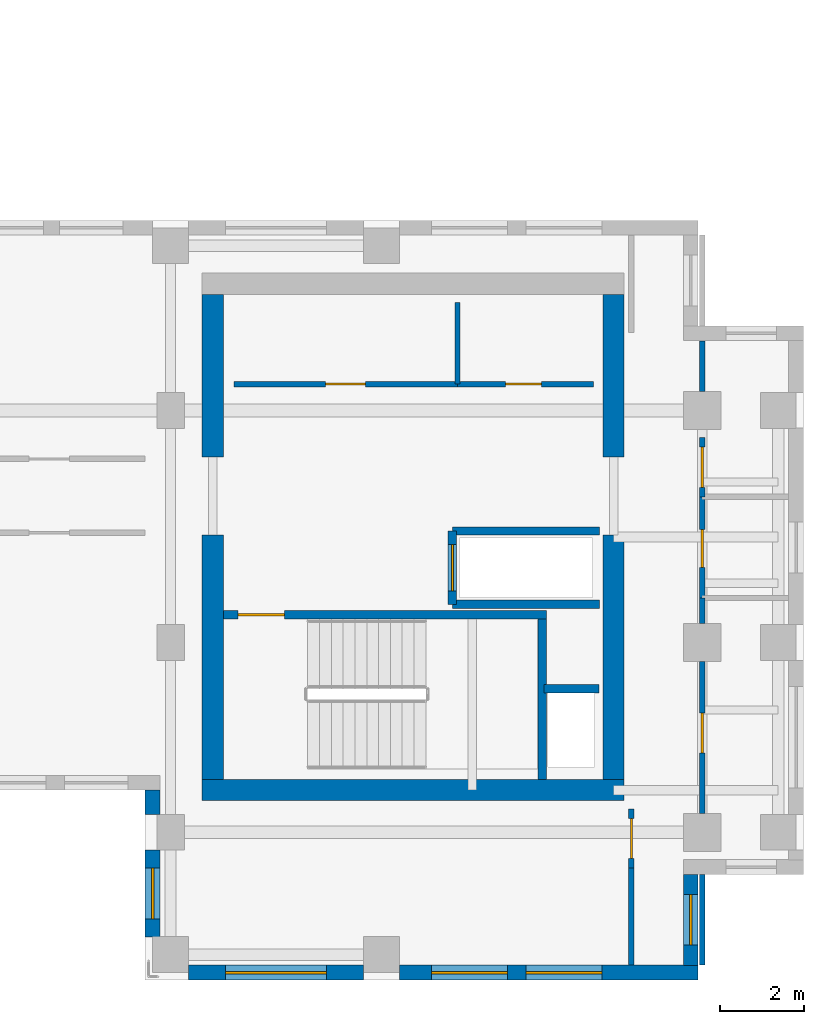
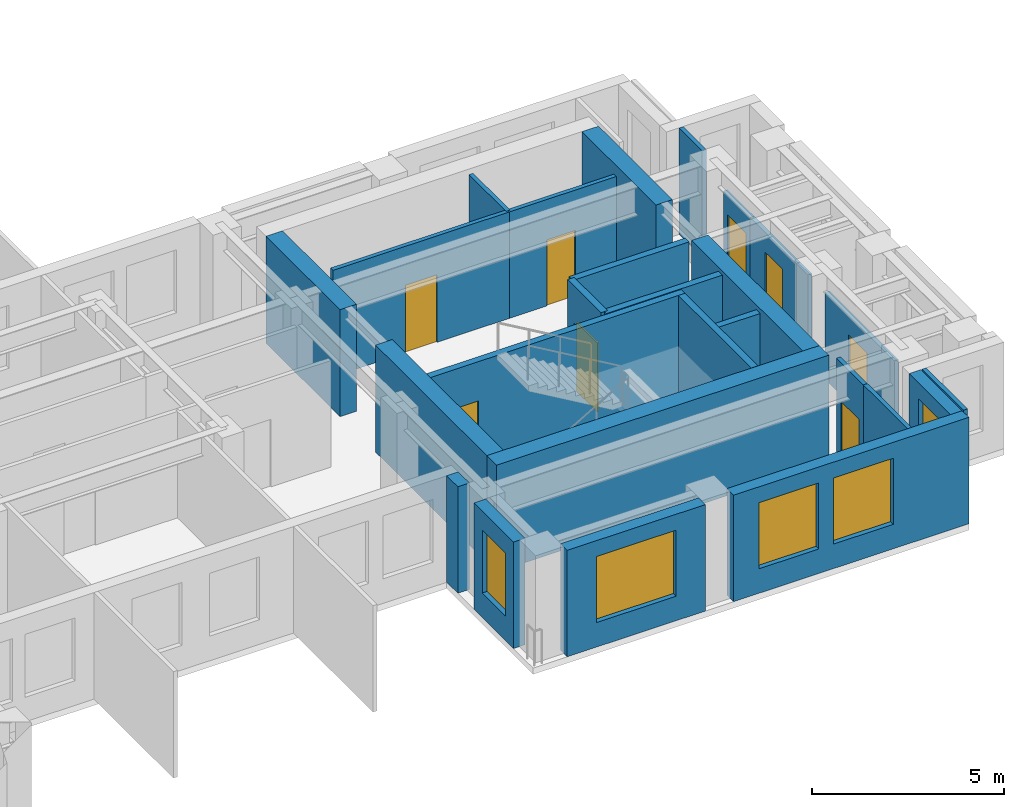
# One storey, part 7 of 11: 27 walls, 8 doors, 5 windows, 13 openings.
"""IFC4 building model written with IfcOpenShell, lengths in metres."""

from ifc_helpers import new_model, si_unit, direction, frame, frame_2d, origin, place, context, subcontext, project, spatial, rectangle, extrude, source, transform, mapped, material, layer, layer_set, type_object, element, fill, save


model = new_model("IFC4")

# Units and contexts
model_context = context("Model", 3, precision=1e-05, world=origin(), true_north=direction((0.0, 1.0)))
body_context = subcontext(model_context, "Body", "Model", "MODEL_VIEW")
ifc_project = project(units=[si_unit("LENGTHUNIT", "METRE"), si_unit("AREAUNIT", "SQUARE_METRE"), si_unit("VOLUMEUNIT", "CUBIC_METRE"), si_unit("PLANEANGLEUNIT", "RADIAN"), si_unit("MASSUNIT", "GRAM", prefix="KILO")], contexts=[model_context])

# Site, building, storey
site_placement = place(None, origin())
site = spatial("IfcSite", under=ifc_project, at=site_placement, CompositionType="ELEMENT")
building_placement = place(site_placement, origin())
building = spatial("IfcBuilding", under=site, at=building_placement, Name="Kharzan Plaza Tower", CompositionType="ELEMENT")
storey_placement = place(building_placement, frame((0.0, 0.0, 219.60009765625)))
storey = spatial("IfcBuildingStorey", under=building, at=storey_placement, Name="L59", CompositionType="ELEMENT", Elevation=219.60009765625)

# Wall, opening, window
ifc_material_1 = material(Name="Concrete C40/50", Category="concrete")
ifc_layer_1 = layer(ifc_material_1, 0.35009765625)
ifc_layer_set_1 = layer_set([ifc_layer_1], Name="Concrete C40/50")
wall_type_1 = type_object("IfcWallType", Name="WL-EXT-MAS-Z4", PredefinedType="SOLIDWALL", material=ifc_layer_set_1)
wall_1_placement = place(storey_placement, frame((34.574951171875, 3.076904296875, 0.0), z_axis=(0.0, 0.0, 1.0), x_axis=(0.0, -1.0, 0.0)))
wall_1 = element("IfcWall", 1, at=wall_1_placement, inside=storey, type_object=wall_type_1, Name="L59 Masonry-Frame Exterior Wall 28", PredefinedType="SOLIDWALL", context=body_context, shape_type="SweptSolid", body=[
    extrude(rectangle(XDim=2.053955078125, YDim=0.35009765625, at=frame_2d((1.02685546875, 0.0))), origin(), (0.0, 0.0, 1.0), 3.385009765625),
])
opening_1_placement = place(wall_1_placement, frame((0.427001953125, 0.0, 0.780029296875)))
opening_1 = element("IfcOpeningElement", 2, at=opening_1_placement, cuts=wall_1, Name="Opening W3", PredefinedType="OPENING", context=body_context, shape_type="SweptSolid", body=[
    extrude(rectangle(XDim=1.199951171875, YDim=2.0, at=frame_2d((0.60009765625, 1.0))), frame((0.0, 0.18505859375, 0.0), z_axis=(0.0, -1.0, 0.0), x_axis=(1.0, 0.0, 0.0)), (0.0, 0.0, 1.0), 0.3701171875),
])
ifc_material_2 = material(Name="Low-E Double Glazing", Category="glass")
window_type_1 = type_object("IfcWindowType", Name="WN-REC-1200x2100", PartitioningType="SINGLE_PANEL", PredefinedType="WINDOW", material=ifc_material_2)
shared_shape_1 = source(origin(), body_context, "Body", "SweptSolid", [
    extrude(rectangle(XDim=1.199951171875, YDim=2.0, at=frame_2d((0.60009765625, 1.0))), frame((0.0, 0.030029296875, 0.0), z_axis=(0.0, -1.0, 0.0), x_axis=(1.0, 0.0, 0.0)), (0.0, 0.0, 1.0), 0.06005859375),
])
window_1_placement = place(opening_1_placement, origin())
window_1 = element("IfcWindow", 3, at=window_1_placement, inside=storey, type_object=window_type_1, Name="L59 Recessed Solar-Control Window 28-1", OverallHeight=2.0, OverallWidth=1.199951171875, PartitioningType="SINGLE_PANEL", PredefinedType="WINDOW", context=body_context, shape_type="MappedRepresentation", body=[
    mapped(shared_shape_1, transform((0.0, 0.0, 0.0), x_axis=(1.0, 0.0, 0.0), y_axis=(0.0, 1.0, 0.0), z_axis=(0.0, 0.0, 1.0))),
])
fill(opening_1, window_1)

wall_2_placement = place(storey_placement, frame((35.423095703125, 0.175048828125, 0.0), z_axis=(0.0, 0.0, 1.0), x_axis=(1.0, 0.0, 0.0)))
wall_2 = element("IfcWall", 4, at=wall_2_placement, inside=storey, type_object=wall_type_1, Name="L59 Masonry-Frame Exterior Wall 29", PredefinedType="SOLIDWALL", context=body_context, shape_type="SweptSolid", body=[
    extrude(rectangle(XDim=4.15380859375, YDim=0.35009765625, at=frame_2d((2.076904296875, 0.0))), origin(), (0.0, 0.0, 1.0), 3.385009765625),
])
opening_2_placement = place(wall_2_placement, frame((0.876953125, 0.0, 0.780029296875)))
opening_2 = element("IfcOpeningElement", 5, at=opening_2_placement, cuts=wall_2, Name="Opening W2", PredefinedType="OPENING", context=body_context, shape_type="SweptSolid", body=[
    extrude(rectangle(XDim=2.39990234375, YDim=2.10009765625, at=frame_2d((1.199951171875, 1.050048828125))), frame((0.0, 0.18505859375, 0.0), z_axis=(0.0, -1.0, 0.0), x_axis=(1.0, 0.0, 0.0)), (0.0, 0.0, 1.0), 0.3701171875),
])
window_type_2 = type_object("IfcWindowType", Name="WN-REC-2400x2100", PartitioningType="SINGLE_PANEL", PredefinedType="WINDOW", material=ifc_material_2)
shared_shape_2 = source(origin(), body_context, "Body", "SweptSolid", [
    extrude(rectangle(XDim=2.39990234375, YDim=2.10009765625, at=frame_2d((1.199951171875, 1.050048828125))), frame((0.0, 0.030029296875, 0.0), z_axis=(0.0, -1.0, 0.0), x_axis=(1.0, 0.0, 0.0)), (0.0, 0.0, 1.0), 0.06005859375),
])
window_2_placement = place(opening_2_placement, origin())
window_2 = element("IfcWindow", 6, at=window_2_placement, inside=storey, type_object=window_type_2, Name="L59 Wide Recessed Solar-Control Window 29-1", OverallHeight=2.10009765625, OverallWidth=2.39990234375, PartitioningType="SINGLE_PANEL", PredefinedType="WINDOW", context=body_context, shape_type="MappedRepresentation", body=[
    mapped(shared_shape_2, transform((0.0, 0.0, 0.0), x_axis=(1.0, 0.0, 0.0), y_axis=(0.0, 1.0, 0.0), z_axis=(0.0, 0.0, 1.0))),
])
fill(opening_2, window_2)

# Wall, openings, windows
wall_3_placement = place(storey_placement, frame((40.423095703125, 0.175048828125, 0.0), z_axis=(0.0, 0.0, 1.0), x_axis=(1.0, 0.0, 0.0)))
wall_3 = element("IfcWall", 7, at=wall_3_placement, inside=storey, type_object=wall_type_1, Name="L59 Masonry-Frame Exterior Wall 30", PredefinedType="SOLIDWALL", context=body_context, shape_type="SweptSolid", body=[
    extrude(rectangle(XDim=7.076904296875, YDim=0.35009765625, at=frame_2d((3.53857421875, 0.0))), origin(), (0.0, 0.0, 1.0), 3.385009765625),
])
opening_3_placement = place(wall_3_placement, frame((0.76220703125, 0.0, 0.780029296875)))
opening_3 = element("IfcOpeningElement", 8, at=opening_3_placement, cuts=wall_3, Name="Opening W1", PredefinedType="OPENING", context=body_context, shape_type="SweptSolid", body=[
    extrude(rectangle(XDim=1.800048828125, YDim=2.10009765625, at=frame_2d((0.89990234375, 1.050048828125))), frame((0.0, 0.18505859375, 0.0), z_axis=(0.0, -1.0, 0.0), x_axis=(1.0, 0.0, 0.0)), (0.0, 0.0, 1.0), 0.3701171875),
])
opening_4_placement = place(wall_3_placement, frame((3.004638671875, 0.0, 0.780029296875)))
opening_4 = element("IfcOpeningElement", 9, at=opening_4_placement, cuts=wall_3, Name="Opening W1", PredefinedType="OPENING", context=body_context, shape_type="SweptSolid", body=[
    extrude(rectangle(XDim=1.800048828125, YDim=2.10009765625, at=frame_2d((0.89990234375, 1.050048828125))), frame((0.0, 0.18505859375, 0.0), z_axis=(0.0, -1.0, 0.0), x_axis=(1.0, 0.0, 0.0)), (0.0, 0.0, 1.0), 0.3701171875),
])
window_type_3 = type_object("IfcWindowType", Name="WN-REC-1800x2100", PartitioningType="SINGLE_PANEL", PredefinedType="WINDOW", material=ifc_material_2)
shared_shape_3 = source(origin(), body_context, "Body", "SweptSolid", [
    extrude(rectangle(XDim=1.800048828125, YDim=2.10009765625, at=frame_2d((0.89990234375, 1.050048828125))), frame((0.0, 0.030029296875, 0.0), z_axis=(0.0, -1.0, 0.0), x_axis=(1.0, 0.0, 0.0)), (0.0, 0.0, 1.0), 0.06005859375),
])
window_3_placement = place(opening_3_placement, origin())
window_3 = element("IfcWindow", 10, at=window_3_placement, inside=storey, type_object=window_type_3, Name="L59 Recessed Solar-Control Window 30-1", OverallHeight=2.10009765625, OverallWidth=1.800048828125, PartitioningType="SINGLE_PANEL", PredefinedType="WINDOW", context=body_context, shape_type="MappedRepresentation", body=[
    mapped(shared_shape_3, transform((0.0, 0.0, 0.0), x_axis=(1.0, 0.0, 0.0), y_axis=(0.0, 1.0, 0.0), z_axis=(0.0, 0.0, 1.0))),
])
fill(opening_3, window_3)
window_4_placement = place(opening_4_placement, origin())
window_4 = element("IfcWindow", 11, at=window_4_placement, inside=storey, type_object=window_type_3, Name="L59 Recessed Solar-Control Window 30-2", OverallHeight=2.10009765625, OverallWidth=1.800048828125, PartitioningType="SINGLE_PANEL", PredefinedType="WINDOW", context=body_context, shape_type="MappedRepresentation", body=[
    mapped(shared_shape_3, transform((0.0, 0.0, 0.0), x_axis=(1.0, 0.0, 0.0), y_axis=(0.0, 1.0, 0.0), z_axis=(0.0, 0.0, 1.0))),
])
fill(opening_4, window_4)

# Wall, opening, window
wall_4_placement = place(storey_placement, frame((47.324951171875, 0.347900390625, 0.0), z_axis=(0.0, 0.0, 1.0), x_axis=(0.0, 1.0, 0.0)))
wall_4 = element("IfcWall", 12, at=wall_4_placement, inside=storey, type_object=wall_type_1, Name="L59 Masonry-Frame Exterior Wall 31", PredefinedType="SOLIDWALL", context=body_context, shape_type="SweptSolid", body=[
    extrude(rectangle(XDim=2.154052734375, YDim=0.35009765625, at=frame_2d((1.0771484375, 0.0))), origin(), (0.0, 0.0, 1.0), 3.385009765625),
])
opening_5_placement = place(wall_4_placement, frame((0.47705078125, 0.0, 0.780029296875)))
opening_5 = element("IfcOpeningElement", 13, at=opening_5_placement, cuts=wall_4, Name="Opening W3", PredefinedType="OPENING", context=body_context, shape_type="SweptSolid", body=[
    extrude(rectangle(XDim=1.199951171875, YDim=2.10009765625, at=frame_2d((0.60009765625, 1.050048828125))), frame((0.0, 0.18505859375, 0.0), z_axis=(0.0, -1.0, 0.0), x_axis=(1.0, 0.0, 0.0)), (0.0, 0.0, 1.0), 0.3701171875),
])
shared_shape_4 = source(origin(), body_context, "Body", "SweptSolid", [
    extrude(rectangle(XDim=1.199951171875, YDim=2.10009765625, at=frame_2d((0.60009765625, 1.050048828125))), frame((0.0, 0.030029296875, 0.0), z_axis=(0.0, -1.0, 0.0), x_axis=(1.0, 0.0, 0.0)), (0.0, 0.0, 1.0), 0.06005859375),
])
window_5_placement = place(opening_5_placement, origin())
window_5 = element("IfcWindow", 14, at=window_5_placement, inside=storey, type_object=window_type_1, Name="L59 Recessed Solar-Control Window 31-1", OverallHeight=2.10009765625, OverallWidth=1.199951171875, PartitioningType="SINGLE_PANEL", PredefinedType="WINDOW", context=body_context, shape_type="MappedRepresentation", body=[
    mapped(shared_shape_4, transform((0.0, 0.0, 0.0), x_axis=(1.0, 0.0, 0.0), y_axis=(0.0, 1.0, 0.0), z_axis=(0.0, 0.0, 1.0))),
])
fill(opening_5, window_5)

# Wall, opening, door
ifc_material_3 = material(Name="Fire-Rated Gypsum Board Partition", Category="gypsum")
ifc_layer_2 = layer(ifc_material_3, 0.125)
ifc_layer_set_2 = layer_set([ifc_layer_2], Name="Fire-Rated Gypsum Board Partition")
wall_type_2 = type_object("IfcWallType", Name="WL-INT-PART-125", PredefinedType="PARTITIONING", material=ifc_layer_set_2)
wall_5_placement = place(storey_placement, frame((36.5, 14.1201171875, 0.0), z_axis=(0.0, 0.0, 1.0), x_axis=(1.0, 0.0, 0.0)))
wall_5 = element("IfcWall", 15, at=wall_5_placement, inside=storey, type_object=wall_type_2, Name="L59 Interior Partition CB-RBLSA", PredefinedType="PARTITIONING", context=body_context, shape_type="SweptSolid", body=[
    extrude(rectangle(XDim=5.300048828125, YDim=0.125, at=frame_2d((2.64990234375, 0.0))), origin(), (0.0, 0.0, 1.0), 3.385009765625),
])
opening_6_placement = place(wall_5_placement, frame((2.175048828125, 0.0, 0.0)))
opening_6 = element("IfcOpeningElement", 16, at=opening_6_placement, cuts=wall_5, Name="Opening OD1", PredefinedType="OPENING", context=body_context, shape_type="SweptSolid", body=[
    extrude(rectangle(XDim=0.949951171875, YDim=2.14990234375, at=frame_2d((0.47509765625, 1.074951171875))), frame((0.0, 0.072509765625, 0.0), z_axis=(0.0, -1.0, 0.0), x_axis=(1.0, 0.0, 0.0)), (0.0, 0.0, 1.0), 0.14501953125),
])
ifc_material_4 = material(Name="Acoustic Solid-Core Stained Oak", Category="timber")
door_type_1 = type_object("IfcDoorType", Name="DR-OFF-SINGLE", OperationType="NOTDEFINED", PredefinedType="DOOR", material=ifc_material_4)
shared_shape_5 = source(origin(), body_context, "Body", "SweptSolid", [
    extrude(rectangle(XDim=0.949951171875, YDim=2.14990234375, at=frame_2d((0.47509765625, 1.074951171875))), frame((0.0, 0.02490234375, 0.0), z_axis=(0.0, -1.0, 0.0), x_axis=(1.0, 0.0, 0.0)), (0.0, 0.0, 1.0), 0.050048828125),
])
door_1_placement = place(opening_6_placement, origin())
door_1 = element("IfcDoor", 17, at=door_1_placement, inside=storey, type_object=door_type_1, Name="L59 Records Room Door", OperationType="SINGLE_SWING_LEFT", OverallHeight=2.14990234375, OverallWidth=0.949951171875, PredefinedType="DOOR", context=body_context, shape_type="MappedRepresentation", body=[
    mapped(shared_shape_5, transform((0.0, 0.0, 0.0), x_axis=(1.0, 0.0, 0.0), y_axis=(0.0, 1.0, 0.0), z_axis=(0.0, 0.0, 1.0))),
])
fill(opening_6, door_1)

wall_6_placement = place(storey_placement, frame((41.800048828125, 14.1201171875, 0.0), z_axis=(0.0, 0.0, 1.0), x_axis=(1.0, 0.0, 0.0)))
wall_6 = element("IfcWall", 18, at=wall_6_placement, inside=storey, type_object=wall_type_2, Name="L59 Interior Partition CB-RBLSB", PredefinedType="PARTITIONING", context=body_context, shape_type="SweptSolid", body=[
    extrude(rectangle(XDim=3.219970703125, YDim=0.125, at=frame_2d((1.60986328125, 0.0))), origin(), (0.0, 0.0, 1.0), 3.385009765625),
])
opening_7_placement = place(wall_6_placement, frame((1.135009765625, 0.0, 0.0)))
opening_7 = element("IfcOpeningElement", 19, at=opening_7_placement, cuts=wall_6, Name="Opening RD1", PredefinedType="OPENING", context=body_context, shape_type="SweptSolid", body=[
    extrude(rectangle(XDim=0.85009765625, YDim=2.10009765625, at=frame_2d((0.425048828125, 1.050048828125))), frame((0.0, 0.072509765625, 0.0), z_axis=(0.0, -1.0, 0.0), x_axis=(1.0, 0.0, 0.0)), (0.0, 0.0, 1.0), 0.14501953125),
])
ifc_material_5 = material(Name="Powder-Coated Fire-Rated Steel", Category="steel")
door_type_2 = type_object("IfcDoorType", Name="DR-RISER-900", OperationType="NOTDEFINED", PredefinedType="DOOR", material=ifc_material_5)
shared_shape_6 = source(origin(), body_context, "Body", "SweptSolid", [
    extrude(rectangle(XDim=0.85009765625, YDim=2.10009765625, at=frame_2d((0.425048828125, 1.050048828125))), frame((0.0, 0.02490234375, 0.0), z_axis=(0.0, -1.0, 0.0), x_axis=(1.0, 0.0, 0.0)), (0.0, 0.0, 1.0), 0.050048828125),
])
door_2_placement = place(opening_7_placement, origin())
door_2 = element("IfcDoor", 20, at=door_2_placement, inside=storey, type_object=door_type_2, Name="L59 Housekeeping Store Door", OperationType="SINGLE_SWING_RIGHT", OverallHeight=2.10009765625, OverallWidth=0.85009765625, PredefinedType="DOOR", context=body_context, shape_type="MappedRepresentation", body=[
    mapped(shared_shape_6, transform((0.0, 0.0, 0.0), x_axis=(1.0, 0.0, 0.0), y_axis=(0.0, 1.0, 0.0), z_axis=(0.0, 0.0, 1.0))),
])
fill(opening_7, door_2)

wall_7_placement = place(storey_placement, frame((47.60009765625, 3.949951171875, 0.0), z_axis=(0.0, 0.0, 1.0), x_axis=(0.0, 1.0, 0.0)))
wall_7 = element("IfcWall", 21, at=wall_7_placement, inside=storey, type_object=wall_type_2, Name="L59 Interior Partition SH-B1W0-S1", PredefinedType="PARTITIONING", context=body_context, shape_type="SweptSolid", body=[
    extrude(rectangle(XDim=3.60009765625, YDim=0.125, at=frame_2d((1.800048828125, 0.0))), origin(), (0.0, 0.0, 1.0), 2.77294921875),
])
opening_8_placement = place(wall_7_placement, frame((1.425048828125, 0.0, 0.0)))
opening_8 = element("IfcOpeningElement", 22, at=opening_8_placement, cuts=wall_7, Name="Opening OD1", PredefinedType="OPENING", context=body_context, shape_type="SweptSolid", body=[
    extrude(rectangle(XDim=0.949951171875, YDim=2.14990234375, at=frame_2d((0.47509765625, 1.074951171875))), frame((0.0, 0.072509765625, 0.0), z_axis=(0.0, -1.0, 0.0), x_axis=(1.0, 0.0, 0.0)), (0.0, 0.0, 1.0), 0.14501953125),
])
door_3_placement = place(opening_8_placement, origin())
door_3 = element("IfcDoor", 23, at=door_3_placement, inside=storey, type_object=door_type_1, Name="L59 Wing B South Studio Door", OperationType="SINGLE_SWING_LEFT", OverallHeight=2.14990234375, OverallWidth=0.949951171875, PredefinedType="DOOR", context=body_context, shape_type="MappedRepresentation", body=[
    mapped(shared_shape_5, transform((0.0, 0.0, 0.0), x_axis=(1.0, 0.0, 0.0), y_axis=(0.0, 1.0, 0.0), z_axis=(0.0, 0.0, 1.0))),
])
fill(opening_8, door_3)

wall_8_placement = place(storey_placement, frame((47.60009765625, 11.449951171875, 0.0), z_axis=(0.0, 0.0, 1.0), x_axis=(0.0, 1.0, 0.0)))
wall_8 = element("IfcWall", 24, at=wall_8_placement, inside=storey, type_object=wall_type_2, Name="L59 Interior Partition SH-B1W1", PredefinedType="PARTITIONING", context=body_context, shape_type="SweptSolid", body=[
    extrude(rectangle(XDim=1.400146484375, YDim=0.125, at=frame_2d((0.7001953125, 0.0))), origin(), (0.0, 0.0, 1.0), 2.77294921875),
])
opening_9_placement = place(wall_8_placement, frame((0.22509765625, 0.0, 0.0)))
opening_9 = element("IfcOpeningElement", 25, at=opening_9_placement, cuts=wall_8, Name="Opening OD1", PredefinedType="OPENING", context=body_context, shape_type="SweptSolid", body=[
    extrude(rectangle(XDim=0.949951171875, YDim=2.14990234375, at=frame_2d((0.47509765625, 1.074951171875))), frame((0.0, 0.072509765625, 0.0), z_axis=(0.0, -1.0, 0.0), x_axis=(1.0, 0.0, 0.0)), (0.0, 0.0, 1.0), 0.14501953125),
])
door_4_placement = place(opening_9_placement, origin())
door_4 = element("IfcDoor", 26, at=door_4_placement, inside=storey, type_object=door_type_1, Name="L59 Wing B North Office Door", OperationType="SINGLE_SWING_LEFT", OverallHeight=2.14990234375, OverallWidth=0.949951171875, PredefinedType="DOOR", context=body_context, shape_type="MappedRepresentation", body=[
    mapped(shared_shape_5, transform((0.0, 0.0, 0.0), x_axis=(1.0, 0.0, 0.0), y_axis=(0.0, 1.0, 0.0), z_axis=(0.0, 0.0, 1.0))),
])
fill(opening_9, door_4)

wall_9_placement = place(storey_placement, frame((47.60009765625, 9.050048828125, 0.0), z_axis=(0.0, 0.0, 1.0), x_axis=(0.0, 1.0, 0.0)))
wall_9 = element("IfcWall", 27, at=wall_9_placement, inside=storey, type_object=wall_type_2, Name="L59 Interior Partition SH-B1WC", PredefinedType="PARTITIONING", context=body_context, shape_type="SweptSolid", body=[
    extrude(rectangle(XDim=2.39990234375, YDim=0.125, at=frame_2d((1.199951171875, 0.0))), origin(), (0.0, 0.0, 1.0), 2.77294921875),
])
opening_10_placement = place(wall_9_placement, frame((0.72509765625, 0.0, 0.0)))
opening_10 = element("IfcOpeningElement", 28, at=opening_10_placement, cuts=wall_9, Name="Opening WD1", PredefinedType="OPENING", context=body_context, shape_type="SweptSolid", body=[
    extrude(rectangle(XDim=0.89990234375, YDim=2.14990234375, at=frame_2d((0.449951171875, 1.074951171875))), frame((0.0, 0.072509765625, 0.0), z_axis=(0.0, -1.0, 0.0), x_axis=(1.0, 0.0, 0.0)), (0.0, 0.0, 1.0), 0.14501953125),
])
ifc_material_6 = material(Name="Moisture-Resistant Fire-Rated Laminate", Category="timber")
door_type_3 = type_object("IfcDoorType", Name="DR-WC-900", OperationType="NOTDEFINED", PredefinedType="DOOR", material=ifc_material_6)
shared_shape_7 = source(origin(), body_context, "Body", "SweptSolid", [
    extrude(rectangle(XDim=0.89990234375, YDim=2.14990234375, at=frame_2d((0.449951171875, 1.074951171875))), frame((0.0, 0.02490234375, 0.0), z_axis=(0.0, -1.0, 0.0), x_axis=(1.0, 0.0, 0.0)), (0.0, 0.0, 1.0), 0.050048828125),
])
door_5_placement = place(opening_10_placement, origin())
door_5 = element("IfcDoor", 29, at=door_5_placement, inside=storey, type_object=door_type_3, Name="L59 Wing B Washroom Door", OperationType="SINGLE_SWING_RIGHT", OverallHeight=2.14990234375, OverallWidth=0.89990234375, PredefinedType="DOOR", context=body_context, shape_type="MappedRepresentation", body=[
    mapped(shared_shape_7, transform((0.0, 0.0, 0.0), x_axis=(1.0, 0.0, 0.0), y_axis=(0.0, 1.0, 0.0), z_axis=(0.0, 0.0, 1.0))),
])
fill(opening_10, door_5)

wall_10_placement = place(storey_placement, frame((45.919921875, 2.64990234375, 0.0), z_axis=(0.0, 0.0, 1.0), x_axis=(0.0, 1.0, 0.0)))
wall_10 = element("IfcWall", 30, at=wall_10_placement, inside=storey, type_object=wall_type_2, Name="L59 Interior Partition SH-RBSE", PredefinedType="PARTITIONING", context=body_context, shape_type="SweptSolid", body=[
    extrude(rectangle(XDim=1.400146484375, YDim=0.125, at=frame_2d((0.7001953125, 0.0))), origin(), (0.0, 0.0, 1.0), 3.385009765625),
])
opening_11_placement = place(wall_10_placement, frame((0.22509765625, 0.0, 0.0)))
opening_11 = element("IfcOpeningElement", 31, at=opening_11_placement, cuts=wall_10, Name="Opening OD1", PredefinedType="OPENING", context=body_context, shape_type="SweptSolid", body=[
    extrude(rectangle(XDim=0.949951171875, YDim=2.14990234375, at=frame_2d((0.47509765625, 1.074951171875))), frame((0.0, 0.072509765625, 0.0), z_axis=(0.0, -1.0, 0.0), x_axis=(1.0, 0.0, 0.0)), (0.0, 0.0, 1.0), 0.14501953125),
])
door_6_placement = place(opening_11_placement, origin())
door_6 = element("IfcDoor", 32, at=door_6_placement, inside=storey, type_object=door_type_1, Name="L59 South-East Corner Office Door", OperationType="SINGLE_SWING_RIGHT", OverallHeight=2.14990234375, OverallWidth=0.949951171875, PredefinedType="DOOR", context=body_context, shape_type="MappedRepresentation", body=[
    mapped(shared_shape_5, transform((0.0, 0.0, 0.0), x_axis=(1.0, 0.0, 0.0), y_axis=(0.0, 1.0, 0.0), z_axis=(0.0, 0.0, 1.0))),
])
fill(opening_11, door_6)

ifc_layer_3 = layer(ifc_material_1, 0.199951171875)
ifc_layer_set_3 = layer_set([ifc_layer_3], Name="Concrete C40/50")
wall_type_3 = type_object("IfcWallType", Name="WL-INT-SHAFT-200", PredefinedType="PARTITIONING", material=ifc_layer_set_3)
wall_11_placement = place(storey_placement, frame((41.679931640625, 8.89990234375, 0.0), z_axis=(0.0, 0.0, 1.0), x_axis=(0.0, 1.0, 0.0)))
wall_11 = element("IfcWall", 33, at=wall_11_placement, inside=storey, type_object=wall_type_3, Name="L59 Interior Partition SHF-SVL-2-W", PredefinedType="PARTITIONING", context=body_context, shape_type="SweptSolid", body=[
    extrude(rectangle(XDim=1.739990234375, YDim=0.199951171875, at=frame_2d((0.8701171875, 0.0))), origin(), (0.0, 0.0, 1.0), 3.385009765625),
])
opening_12_placement = place(wall_11_placement, frame((0.320068359375, 0.0, 0.0)))
opening_12 = element("IfcOpeningElement", 34, at=opening_12_placement, cuts=wall_11, Name="Opening LD", PredefinedType="OPENING", context=body_context, shape_type="SweptSolid", body=[
    extrude(rectangle(XDim=1.10009765625, YDim=2.199951171875, at=frame_2d((0.550048828125, 1.10009765625))), frame((0.0, 0.10986328125, 0.0), z_axis=(0.0, -1.0, 0.0), x_axis=(1.0, 0.0, 0.0)), (0.0, 0.0, 1.0), 0.219970703125),
])
ifc_material_7 = material(Name="Brushed Stainless Steel", Category="steel")
door_type_4 = type_object("IfcDoorType", Name="DR-LIFT-SLIDE", OperationType="SLIDING_TO_LEFT", PredefinedType="DOOR", material=ifc_material_7)
shared_shape_8 = source(origin(), body_context, "Body", "SweptSolid", [
    extrude(rectangle(XDim=1.10009765625, YDim=2.199951171875, at=frame_2d((0.550048828125, 1.10009765625))), frame((0.0, 0.02490234375, 0.0), z_axis=(0.0, -1.0, 0.0), x_axis=(1.0, 0.0, 0.0)), (0.0, 0.0, 1.0), 0.050048828125),
])
door_7_placement = place(opening_12_placement, origin())
door_7 = element("IfcDoor", 35, at=door_7_placement, inside=storey, type_object=door_type_4, Name="L59 Service Lift SVL-2 Sliding Landing Door", OperationType="SLIDING_TO_LEFT", OverallHeight=2.199951171875, OverallWidth=1.10009765625, PredefinedType="DOOR", context=body_context, shape_type="MappedRepresentation", body=[
    mapped(shared_shape_8, transform((0.0, 0.0, 0.0), x_axis=(1.0, 0.0, 0.0), y_axis=(0.0, 1.0, 0.0), z_axis=(0.0, 0.0, 1.0))),
])
fill(opening_12, door_7)

ifc_material_8 = material(Name="Concrete C50/60", Category="concrete")
ifc_layer_4 = layer(ifc_material_8, 0.199951171875)
ifc_layer_set_4 = layer_set([ifc_layer_4], Name="Concrete C50/60")
wall_type_4 = type_object("IfcWallType", Name="WL-SHAFT-RC200", PredefinedType="SHEAR", material=ifc_layer_set_4)
wall_12_placement = place(storey_placement, frame((36.251953125, 8.655029296875, 0.0), z_axis=(0.0, 0.0, 1.0), x_axis=(1.0, 0.0, 0.0)))
wall_12 = element("IfcWall", 36, at=wall_12_placement, inside=storey, type_object=wall_type_4, Name="L59 Stair ST-3 North RC Shaft Wall", PredefinedType="SHEAR", context=body_context, shape_type="SweptSolid", body=[
    extrude(rectangle(XDim=7.653076171875, YDim=0.199951171875, at=frame_2d((3.82666015625, 0.0))), origin(), (0.0, 0.0, 1.0), 3.39990234375),
])
opening_13_placement = place(wall_12_placement, frame((0.35009765625, 0.0, 0.0)))
opening_13 = element("IfcOpeningElement", 37, at=opening_13_placement, cuts=wall_12, Name="Opening SD1", PredefinedType="OPENING", context=body_context, shape_type="SweptSolid", body=[
    extrude(rectangle(XDim=1.10009765625, YDim=2.14990234375, at=frame_2d((0.550048828125, 1.074951171875))), frame((0.0, 0.10986328125, 0.0), z_axis=(0.0, -1.0, 0.0), x_axis=(1.0, 0.0, 0.0)), (0.0, 0.0, 1.0), 0.219970703125),
])
ifc_material_9 = material(Name="Fire-Rated Hollow Galvanized Steel", Category="steel")
door_type_5 = type_object("IfcDoorType", Name="DR-STAIR-FD120", OperationType="NOTDEFINED", PredefinedType="DOOR", material=ifc_material_9)
shared_shape_9 = source(origin(), body_context, "Body", "SweptSolid", [
    extrude(rectangle(XDim=1.10009765625, YDim=2.14990234375, at=frame_2d((0.550048828125, 1.074951171875))), frame((0.0, 0.02490234375, 0.0), z_axis=(0.0, -1.0, 0.0), x_axis=(1.0, 0.0, 0.0)), (0.0, 0.0, 1.0), 0.050048828125),
])
door_8_placement = place(opening_13_placement, origin())
door_8 = element("IfcDoor", 38, at=door_8_placement, inside=storey, type_object=door_type_5, Name="L59 Stair ST-3 Fire Exit Door", OperationType="SINGLE_SWING_RIGHT", OverallHeight=2.14990234375, OverallWidth=1.10009765625, PredefinedType="DOOR", context=body_context, shape_type="MappedRepresentation", body=[
    mapped(shared_shape_9, transform((0.0, 0.0, 0.0), x_axis=(1.0, 0.0, 0.0), y_axis=(0.0, 1.0, 0.0), z_axis=(0.0, 0.0, 1.0))),
])
fill(opening_13, door_8)

# Walls
shared_shape_10 = source(origin(), body_context, "Body", "SweptSolid", [
    extrude(rectangle(XDim=1.929931640625, YDim=0.125, at=frame_2d((0.96484375, 0.0))), origin(), (0.0, 0.0, 1.0), 3.385009765625),
])
wall_13_placement = place(storey_placement, frame((41.800048828125, 14.1201171875, 0.0), z_axis=(0.0, 0.0, 1.0), x_axis=(0.0, 1.0, 0.0)))
element("IfcWall", 39, at=wall_13_placement, inside=storey, type_object=wall_type_2, Name="L59 Interior Partition CB-RBLM2", PredefinedType="PARTITIONING", context=body_context, shape_type="MappedRepresentation", body=[
    mapped(shared_shape_10, transform((0.0, 0.0, 0.0), x_axis=(1.0, 0.0, 0.0), y_axis=(0.0, 1.0, 0.0), z_axis=(0.0, 0.0, 1.0))),
])
shared_shape_11 = source(origin(), body_context, "Body", "SweptSolid", [
    extrude(rectangle(XDim=2.2978515625, YDim=0.125, at=frame_2d((1.14892578125, 0.0))), origin(), (0.0, 0.0, 1.0), 3.385009765625),
])
wall_14_placement = place(storey_placement, frame((45.919921875, 0.35205078125, 0.0), z_axis=(0.0, 0.0, 1.0), x_axis=(0.0, 1.0, 0.0)))
element("IfcWall", 40, at=wall_14_placement, inside=storey, type_object=wall_type_2, Name="L59 Interior Partition SH-RBSE0", PredefinedType="PARTITIONING", context=body_context, shape_type="MappedRepresentation", body=[
    mapped(shared_shape_11, transform((0.0, 0.0, 0.0), x_axis=(1.0, 0.0, 0.0), y_axis=(0.0, 1.0, 0.0), z_axis=(0.0, 0.0, 1.0))),
])
shared_shape_12 = source(origin(), body_context, "Body", "SweptSolid", [
    extrude(rectangle(XDim=1.2998046875, YDim=0.199951171875, at=frame_2d((0.64990234375, 0.0))), origin(), (0.0, 0.0, 1.0), 3.385009765625),
])
wall_15_placement = place(storey_placement, frame((43.85009765625, 6.89990234375, 0.0), z_axis=(0.0, 0.0, 1.0), x_axis=(1.0, 0.0, 0.0)))
element("IfcWall", 41, at=wall_15_placement, inside=storey, type_object=wall_type_3, Name="L59 Interior Partition CB-RSRB-N", PredefinedType="PARTITIONING", context=body_context, shape_type="MappedRepresentation", body=[
    mapped(shared_shape_12, transform((0.0, 0.0, 0.0), x_axis=(1.0, 0.0, 0.0), y_axis=(0.0, 1.0, 0.0), z_axis=(0.0, 0.0, 1.0))),
])
shared_shape_13 = source(origin(), body_context, "Body", "SweptSolid", [
    extrude(rectangle(XDim=3.489990234375, YDim=0.199951171875, at=frame_2d((1.7451171875, 0.0))), origin(), (0.0, 0.0, 1.0), 3.385009765625),
])
for number, where, z_axis, x_axis, name in (
    (42, (41.679931640625, 10.639892578125, 0.0), (0.0, 0.0, 1.0), (1.0, 0.0, 0.0), "L59 Interior Partition SHF-SVL-2-N"),
    (43, (41.679931640625, 8.89990234375, 0.0), (0.0, 0.0, 1.0), (1.0, 0.0, 0.0), "L59 Interior Partition SHF-SVL-2-S"),
):
    element("IfcWall", number, at=place(storey_placement, frame(where, z_axis=z_axis, x_axis=x_axis)), inside=storey, type_object=wall_type_3, Name=name, PredefinedType="PARTITIONING", context=body_context, shape_type="MappedRepresentation", body=[
        mapped(shared_shape_13, transform((0.0, 0.0, 0.0), x_axis=(1.0, 0.0, 0.0), y_axis=(0.0, 1.0, 0.0), z_axis=(0.0, 0.0, 1.0))),
    ])
shared_shape_14 = source(origin(), body_context, "Body", "SweptSolid", [
    extrude(rectangle(XDim=0.578857421875, YDim=0.35009765625, at=frame_2d((0.28955078125, 0.0))), origin(), (0.0, 0.0, 1.0), 3.385009765625),
])
wall_16_placement = place(storey_placement, frame((34.574951171875, 4.501953125, 0.0), z_axis=(0.0, 0.0, 1.0), x_axis=(0.0, -1.0, 0.0)))
element("IfcWall", 44, at=wall_16_placement, inside=storey, type_object=wall_type_1, Name="L59 Masonry-Frame Exterior Wall 27", PredefinedType="SOLIDWALL", context=body_context, shape_type="MappedRepresentation", body=[
    mapped(shared_shape_14, transform((0.0, 0.0, 0.0), x_axis=(1.0, 0.0, 0.0), y_axis=(0.0, 1.0, 0.0), z_axis=(0.0, 0.0, 1.0))),
])
shared_shape_15 = source(origin(), body_context, "Body", "SweptSolid", [
    extrude(rectangle(XDim=2.14794921875, YDim=0.125, at=frame_2d((1.073974609375, 0.0))), origin(), (0.0, 0.0, 1.0), 3.385009765625),
])
wall_17_placement = place(storey_placement, frame((47.60009765625, 0.35009765625, 0.0), z_axis=(0.0, 0.0, 1.0), x_axis=(0.0, 1.0, 0.0)))
element("IfcWall", 45, at=wall_17_placement, inside=storey, type_object=wall_type_2, Name="L59 Interior Partition SH-B1W0S", PredefinedType="PARTITIONING", context=body_context, shape_type="MappedRepresentation", body=[
    mapped(shared_shape_15, transform((0.0, 0.0, 0.0), x_axis=(1.0, 0.0, 0.0), y_axis=(0.0, 1.0, 0.0), z_axis=(0.0, 0.0, 1.0))),
])
shared_shape_16 = source(origin(), body_context, "Body", "SweptSolid", [
    extrude(rectangle(XDim=1.197998046875, YDim=0.125, at=frame_2d((0.59912109375, 0.0))), origin(), (0.0, 0.0, 1.0), 3.385009765625),
])
wall_18_placement = place(storey_placement, frame((47.60009765625, 13.949951171875, 0.0), z_axis=(0.0, 0.0, 1.0), x_axis=(0.0, 1.0, 0.0)))
element("IfcWall", 46, at=wall_18_placement, inside=storey, type_object=wall_type_2, Name="L59 Interior Partition SH-B1W1N-S1", PredefinedType="PARTITIONING", context=body_context, shape_type="MappedRepresentation", body=[
    mapped(shared_shape_16, transform((0.0, 0.0, 0.0), x_axis=(1.0, 0.0, 0.0), y_axis=(0.0, 1.0, 0.0), z_axis=(0.0, 0.0, 1.0))),
])
ifc_layer_5 = layer(ifc_material_8, 0.5)
ifc_layer_set_5 = layer_set([ifc_layer_5], Name="Concrete C50/60")
wall_type_5 = type_object("IfcWallType", Name="WL-CORE-500", PredefinedType="SHEAR", material=ifc_layer_set_5)
shared_shape_17 = source(origin(), body_context, "Body", "SweptSolid", [
    extrude(rectangle(XDim=5.800048828125, YDim=0.5, at=frame_2d((2.89990234375, 0.0))), origin(), (0.0, 0.0, 1.0), 3.39990234375),
])
for number, where, z_axis, x_axis, name in (
    (47, (45.5, 4.75, 0.0), (0.0, 0.0, 1.0), (0.0, 1.0, 0.0), "L59 CORE-B east shear pier 1"),
    (48, (36.0, 4.75, 0.0), (0.0, 0.0, 1.0), (0.0, 1.0, 0.0), "L59 CORE-B west shear pier 1"),
):
    element("IfcWall", number, at=place(storey_placement, frame(where, z_axis=z_axis, x_axis=x_axis)), inside=storey, type_object=wall_type_5, Name=name, PredefinedType="SHEAR", context=body_context, shape_type="MappedRepresentation", body=[
        mapped(shared_shape_17, transform((0.0, 0.0, 0.0), x_axis=(1.0, 0.0, 0.0), y_axis=(0.0, 1.0, 0.0), z_axis=(0.0, 0.0, 1.0))),
    ])
shared_shape_18 = source(origin(), body_context, "Body", "SweptSolid", [
    extrude(rectangle(XDim=3.85009765625, YDim=0.5, at=frame_2d((1.925048828125, 0.0))), origin(), (0.0, 0.0, 1.0), 3.39990234375),
])
for number, where, z_axis, x_axis, name in (
    (49, (45.5, 12.39990234375, 0.0), (0.0, 0.0, 1.0), (0.0, 1.0, 0.0), "L59 CORE-B east shear pier 2"),
    (50, (36.0, 12.39990234375, 0.0), (0.0, 0.0, 1.0), (0.0, 1.0, 0.0), "L59 CORE-B west shear pier 2"),
):
    element("IfcWall", number, at=place(storey_placement, frame(where, z_axis=z_axis, x_axis=x_axis)), inside=storey, type_object=wall_type_5, Name=name, PredefinedType="SHEAR", context=body_context, shape_type="MappedRepresentation", body=[
        mapped(shared_shape_18, transform((0.0, 0.0, 0.0), x_axis=(1.0, 0.0, 0.0), y_axis=(0.0, 1.0, 0.0), z_axis=(0.0, 0.0, 1.0))),
    ])
shared_shape_19 = source(origin(), body_context, "Body", "SweptSolid", [
    extrude(rectangle(XDim=10.0, YDim=0.5, at=frame_2d((5.0, 0.0))), origin(), (0.0, 0.0, 1.0), 3.39990234375),
])
wall_19_placement = place(storey_placement, frame((35.75, 4.5, 0.0), z_axis=(0.0, 0.0, 1.0), x_axis=(1.0, 0.0, 0.0)))
element("IfcWall", 51, at=wall_19_placement, inside=storey, type_object=wall_type_5, Name="L59 CORE-B south RC shear wall", PredefinedType="SHEAR", context=body_context, shape_type="MappedRepresentation", body=[
    mapped(shared_shape_19, transform((0.0, 0.0, 0.0), x_axis=(1.0, 0.0, 0.0), y_axis=(0.0, 1.0, 0.0), z_axis=(0.0, 0.0, 1.0))),
])
shared_shape_20 = source(origin(), body_context, "Body", "SweptSolid", [
    extrude(rectangle(XDim=0.60009765625, YDim=0.125, at=frame_2d((0.300048828125, 0.0))), origin(), (0.0, 0.0, 1.0), 2.77294921875),
])
wall_20_placement = place(storey_placement, frame((47.60009765625, 8.449951171875, 0.0), z_axis=(0.0, 0.0, 1.0), x_axis=(0.0, 1.0, 0.0)))
element("IfcWall", 52, at=wall_20_placement, inside=storey, type_object=wall_type_2, Name="L59 Interior Partition SH-B1W0-S2", PredefinedType="PARTITIONING", context=body_context, shape_type="MappedRepresentation", body=[
    mapped(shared_shape_20, transform((0.0, 0.0, 0.0), x_axis=(1.0, 0.0, 0.0), y_axis=(0.0, 1.0, 0.0), z_axis=(0.0, 0.0, 1.0))),
])
shared_shape_21 = source(origin(), body_context, "Body", "SweptSolid", [
    extrude(rectangle(XDim=3.802978515625, YDim=0.199951171875, at=frame_2d((1.9013671875, 0.0))), origin(), (0.0, 0.0, 1.0), 3.39990234375),
])
wall_21_placement = place(storey_placement, frame((43.804931640625, 4.751953125, 0.0), z_axis=(0.0, 0.0, 1.0), x_axis=(0.0, 1.0, 0.0)))
element("IfcWall", 53, at=wall_21_placement, inside=storey, type_object=wall_type_4, Name="L59 Stair ST-3 East RC Shaft Wall", PredefinedType="SHEAR", context=body_context, shape_type="MappedRepresentation", body=[
    mapped(shared_shape_21, transform((0.0, 0.0, 0.0), x_axis=(1.0, 0.0, 0.0), y_axis=(0.0, 1.0, 0.0), z_axis=(0.0, 0.0, 1.0))),
])

save(model, "model.ifc")
